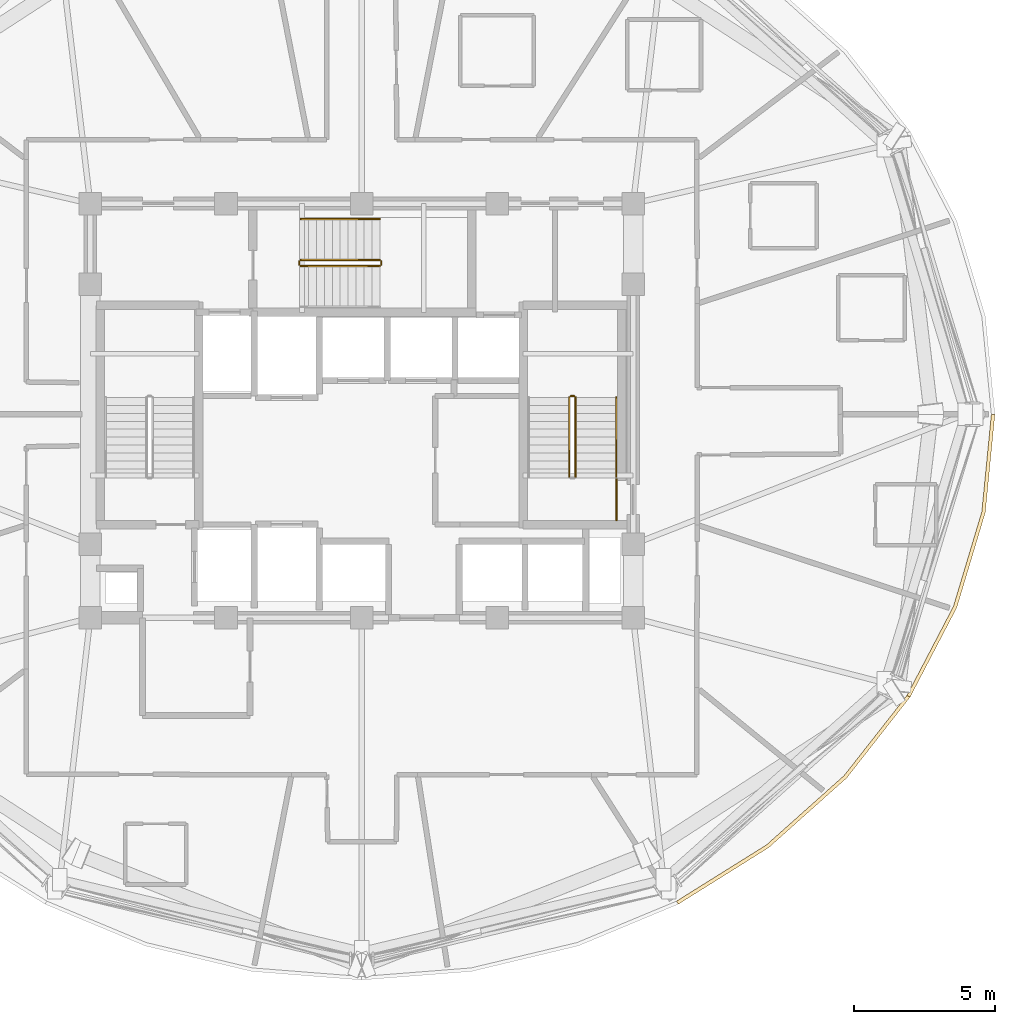
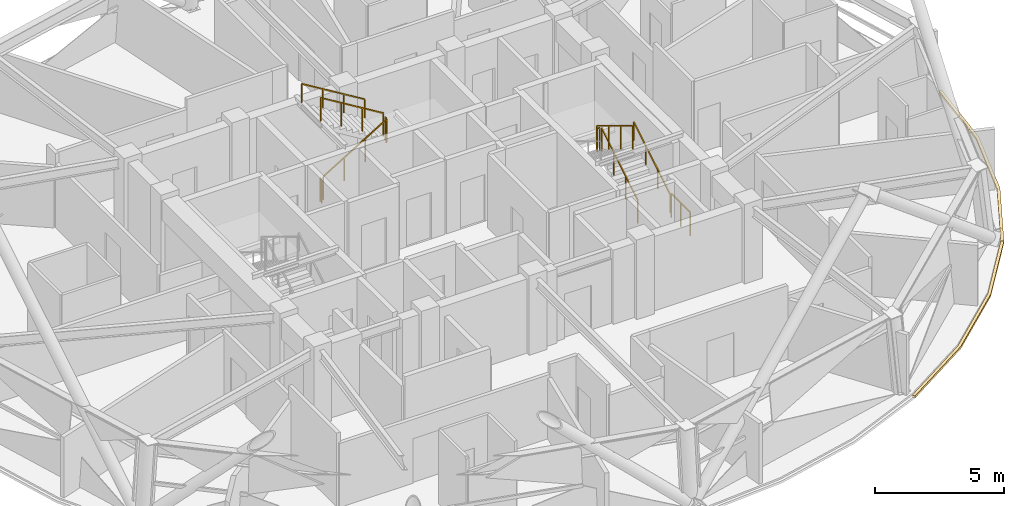
# One storey, part 11 of 12: 10 railings, 2 coverings.
"""IFC4 building model written with IfcOpenShell, lengths in metres."""

from ifc_helpers import new_model, si_unit, direction, frame, origin, origin_2d, place, context, subcontext, project, spatial, polyline, rectangle, outline, extrude, material, layer, layer_set, type_object, element, save


model = new_model("IFC4")

# Units and contexts
model_context = context("Model", 3, precision=1e-05, world=origin(), true_north=direction((0.0, 1.0)))
body_context = subcontext(model_context, "Body", "Model", "MODEL_VIEW")
ifc_project = project(units=[si_unit("LENGTHUNIT", "METRE"), si_unit("AREAUNIT", "SQUARE_METRE"), si_unit("VOLUMEUNIT", "CUBIC_METRE"), si_unit("PLANEANGLEUNIT", "RADIAN"), si_unit("MASSUNIT", "GRAM", prefix="KILO")], contexts=[model_context])

# Site, building, storey
site_placement = place(None, origin())
site = spatial("IfcSite", under=ifc_project, at=site_placement, CompositionType="ELEMENT")
building_placement = place(site_placement, origin())
building = spatial("IfcBuilding", under=site, at=building_placement, Name="Vantalir Tower", CompositionType="ELEMENT")
storey_placement = place(building_placement, frame((0.0, 0.0, 249.89990234375)))
storey = spatial("IfcBuildingStorey", under=building, at=storey_placement, Name="L63", CompositionType="ELEMENT", Elevation=249.89990234375)

# Coverings
ifc_material_1 = material(Name="Anodised champagne aluminium sill fascia", Category="aluminium")
ifc_layer = layer(ifc_material_1, 0.125)
ifc_layer_set = layer_set([ifc_layer], Name="Anodised champagne aluminium sill fascia")
covering_type = type_object("IfcCoveringType", Name="COV-SLAB-FASCIA-125", PredefinedType="CLADDING", material=ifc_layer_set)
covering_1_placement = place(storey_placement, frame((0.0, 0.0, -0.179931640625)))
element("IfcCovering", 1, at=covering_1_placement, inside=storey, type_object=covering_type, Name="L63 Perimeter Slab-Edge Sill Fascia 11", PredefinedType="CLADDING", context=body_context, shape_type="SweptSolid", body=[
    extrude(outline(polyline([(42.697021484375, 7.673095703125), (45.89404296875, 9.673095703125), (48.654052734375, 12.138916015625), (50.89306640625, 14.99609375), (50.784912109375, 15.05810546875), (48.55810546875, 12.218994140625), (45.81396484375, 9.76904296875), (42.634033203125, 7.781005859375), (42.697021484375, 7.673095703125)])), origin(), (0.0, 0.0, 1.0), 0.10498046875),
])
covering_2_placement = place(storey_placement, frame((0.0, 0.0, -0.179931640625)))
element("IfcCovering", 2, at=covering_2_placement, inside=storey, type_object=covering_type, Name="L63 Perimeter Slab-Edge Sill Fascia 12", PredefinedType="CLADDING", context=body_context, shape_type="SweptSolid", body=[
    extrude(outline(polyline([(50.89306640625, 14.99609375), (52.54296875, 18.156982421875), (53.552978515625, 21.52587890625), (53.89306640625, 25.0), (53.76806640625, 25.0), (53.429931640625, 21.547119140625), (52.425048828125, 18.199951171875), (50.784912109375, 15.05810546875), (50.89306640625, 14.99609375)])), origin(), (0.0, 0.0, 1.0), 0.10498046875),
])

# Railings
ifc_material_2 = material(Name="Anodised aluminium and stainless steel guard", Category="steel")
railing_type_1 = type_object("IfcRailingType", Name="RAL-GUARD-1120", PredefinedType="GUARDRAIL", material=ifc_material_2)
railing_1_placement = place(storey_placement, frame((39.06005859375, 22.7900390625, 0.170654296875)))
element("IfcRailing", 3, at=railing_1_placement, inside=storey, type_object=railing_type_1, Name="L63 ST2 stair guard 1", PredefinedType="GUARDRAIL", context=body_context, shape_type="SweptSolid", body=[
    extrude(rectangle(XDim=0.048095703125, YDim=0.048095703125, at=origin_2d()), frame((0.0, 0.0, 1.09619140625), z_axis=(0.0, 0.854202870247, 0.519939858505), x_axis=(-1.0, 0.0, 0.0)), (0.0, 0.0, 1.0), 3.278076171875),
    extrude(rectangle(XDim=0.0419921875, YDim=0.0419921875, at=origin_2d()), origin(), (0.0, 0.0, 1.0), 1.072021484375),
    extrude(rectangle(XDim=0.0419921875, YDim=0.0419921875, at=origin_2d()), frame((0.0, 0.933349609375, 0.568115234375)), (0.0, 0.0, 1.0), 1.072021484375),
    extrude(rectangle(XDim=0.0419921875, YDim=0.0419921875, at=origin_2d()), frame((0.0, 1.86669921875, 1.13623046875)), (0.0, 0.0, 1.0), 1.072021484375),
    extrude(rectangle(XDim=0.0419921875, YDim=0.0419921875, at=origin_2d()), frame((0.0, 2.800048828125, 1.704345703125)), (0.0, 0.0, 1.0), 1.072021484375),
])
railing_2_placement = place(storey_placement, frame((39.010009765625, 25.639892578125, 1.875)))
element("IfcRailing", 4, at=railing_2_placement, inside=storey, type_object=railing_type_1, Name="L63 ST2 stair guard 2", PredefinedType="GUARDRAIL", context=body_context, shape_type="SweptSolid", body=[
    extrude(rectangle(XDim=0.048095703125, YDim=0.048095703125, at=origin_2d()), frame((0.0, 0.0, 1.09619140625), z_axis=(-1.0, 0.0, 0.0), x_axis=(0.0, -1.0, 0.0)), (0.0, 0.0, 1.0), 0.1201171875),
    extrude(rectangle(XDim=0.0419921875, YDim=0.0419921875, at=origin_2d()), origin(), (0.0, 0.0, 1.0), 1.072021484375),
    extrude(rectangle(XDim=0.0419921875, YDim=0.0419921875, at=origin_2d()), frame((-0.1201171875, 0.0, 0.0)), (0.0, 0.0, 1.0), 1.072021484375),
])
railing_3_placement = place(storey_placement, frame((38.840087890625, 25.590087890625, 2.045654296875)))
element("IfcRailing", 5, at=railing_3_placement, inside=storey, type_object=railing_type_1, Name="L63 ST2 stair guard 3", PredefinedType="GUARDRAIL", context=body_context, shape_type="SweptSolid", body=[
    extrude(rectangle(XDim=0.048095703125, YDim=0.048095703125, at=origin_2d()), frame((0.0, 0.0, 1.09619140625), z_axis=(0.0, -0.854202870247, 0.519939858505), x_axis=(1.0, 0.0, 0.0)), (0.0, 0.0, 1.0), 3.278076171875),
    extrude(rectangle(XDim=0.0419921875, YDim=0.0419921875, at=origin_2d()), origin(), (0.0, 0.0, 1.0), 1.072021484375),
    extrude(rectangle(XDim=0.0419921875, YDim=0.0419921875, at=origin_2d()), frame((0.0, -0.933349609375, 0.568115234375)), (0.0, 0.0, 1.0), 1.072021484375),
    extrude(rectangle(XDim=0.0419921875, YDim=0.0419921875, at=origin_2d()), frame((0.0, -1.86669921875, 1.13623046875)), (0.0, 0.0, 1.0), 1.072021484375),
    extrude(rectangle(XDim=0.0419921875, YDim=0.0419921875, at=origin_2d()), frame((0.0, -2.800048828125, 1.704345703125)), (0.0, 0.0, 1.0), 1.072021484375),
])
railing_4_placement = place(storey_placement, frame((29.340087890625, 30.239990234375, 0.170654296875)))
element("IfcRailing", 6, at=railing_4_placement, inside=storey, type_object=railing_type_1, Name="L63 ST3 stair guard 1", PredefinedType="GUARDRAIL", context=body_context, shape_type="SweptSolid", body=[
    extrude(rectangle(XDim=0.048095703125, YDim=0.048095703125, at=origin_2d()), frame((0.0, 0.0, 1.09619140625), z_axis=(0.854182733786, 0.0, 0.519972939009), x_axis=(0.0, 1.0, 0.0)), (0.0, 0.0, 1.0), 3.27783203125),
    extrude(rectangle(XDim=0.0419921875, YDim=0.0419921875, at=origin_2d()), origin(), (0.0, 0.0, 1.0), 1.072021484375),
    extrude(rectangle(XDim=0.0419921875, YDim=0.0419921875, at=origin_2d()), frame((0.933349609375, 0.0, 0.568115234375)), (0.0, 0.0, 1.0), 1.072021484375),
    extrude(rectangle(XDim=0.0419921875, YDim=0.0419921875, at=origin_2d()), frame((1.866455078125, 0.0, 1.13623046875)), (0.0, 0.0, 1.0), 1.072021484375),
    extrude(rectangle(XDim=0.0419921875, YDim=0.0419921875, at=origin_2d()), frame((2.7998046875, 0.0, 1.704345703125)), (0.0, 0.0, 1.0), 1.072021484375),
])
railing_5_placement = place(storey_placement, frame((32.18994140625, 30.2900390625, 1.875)))
element("IfcRailing", 7, at=railing_5_placement, inside=storey, type_object=railing_type_1, Name="L63 ST3 stair guard 2", PredefinedType="GUARDRAIL", context=body_context, shape_type="SweptSolid", body=[
    extrude(rectangle(XDim=0.048095703125, YDim=0.048095703125, at=origin_2d()), frame((0.0, 0.0, 1.09619140625), z_axis=(0.0, 1.0, 0.0), x_axis=(-1.0, 0.0, 0.0)), (0.0, 0.0, 1.0), 0.119873046875),
    extrude(rectangle(XDim=0.0419921875, YDim=0.0419921875, at=origin_2d()), origin(), (0.0, 0.0, 1.0), 1.072021484375),
    extrude(rectangle(XDim=0.0419921875, YDim=0.0419921875, at=origin_2d()), frame((0.0, 0.119873046875, 0.0)), (0.0, 0.0, 1.0), 1.072021484375),
])
railing_6_placement = place(storey_placement, frame((32.139892578125, 30.4599609375, 2.045654296875)))
element("IfcRailing", 8, at=railing_6_placement, inside=storey, type_object=railing_type_1, Name="L63 ST3 stair guard 3", PredefinedType="GUARDRAIL", context=body_context, shape_type="SweptSolid", body=[
    extrude(rectangle(XDim=0.048095703125, YDim=0.048095703125, at=origin_2d()), frame((0.0, 0.0, 1.09619140625), z_axis=(-0.854182733786, 0.0, 0.519972939009), x_axis=(0.0, -1.0, 0.0)), (0.0, 0.0, 1.0), 3.27783203125),
    extrude(rectangle(XDim=0.0419921875, YDim=0.0419921875, at=origin_2d()), origin(), (0.0, 0.0, 1.0), 1.072021484375),
    extrude(rectangle(XDim=0.0419921875, YDim=0.0419921875, at=origin_2d()), frame((-0.933349609375, 0.0, 0.568115234375)), (0.0, 0.0, 1.0), 1.072021484375),
    extrude(rectangle(XDim=0.0419921875, YDim=0.0419921875, at=origin_2d()), frame((-1.866455078125, 0.0, 1.13623046875)), (0.0, 0.0, 1.0), 1.072021484375),
    extrude(rectangle(XDim=0.0419921875, YDim=0.0419921875, at=origin_2d()), frame((-2.7998046875, 0.0, 1.704345703125)), (0.0, 0.0, 1.0), 1.072021484375),
])
railing_7_placement = place(storey_placement, frame((29.2900390625, 30.2900390625, 0.0)))
element("IfcRailing", 9, at=railing_7_placement, inside=storey, type_object=railing_type_1, Name="L63 ST3 stair guard 4", PredefinedType="GUARDRAIL", context=body_context, shape_type="SweptSolid", body=[
    extrude(rectangle(XDim=0.048095703125, YDim=0.048095703125, at=origin_2d()), frame((0.0, 0.0, 1.09619140625), z_axis=(0.0, 1.0, 0.0), x_axis=(-1.0, 0.0, 0.0)), (0.0, 0.0, 1.0), 0.119873046875),
    extrude(rectangle(XDim=0.0419921875, YDim=0.0419921875, at=origin_2d()), origin(), (0.0, 0.0, 1.0), 1.072021484375),
    extrude(rectangle(XDim=0.0419921875, YDim=0.0419921875, at=origin_2d()), frame((0.0, 0.119873046875, 0.0)), (0.0, 0.0, 1.0), 1.072021484375),
])
railing_8_placement = place(storey_placement, frame((40.510009765625, 21.260009765625, 0.0)))
element("IfcRailing", 10, at=railing_8_placement, inside=storey, type_object=railing_type_1, Name="L63 Stair ST2 Doorway Landing Guard", PredefinedType="GUARDRAIL", context=body_context, shape_type="SweptSolid", body=[
    extrude(rectangle(XDim=0.048095703125, YDim=0.048095703125, at=origin_2d()), frame((0.0, 0.0, 1.1259765625), z_axis=(0.0, 1.0, 0.0), x_axis=(-1.0, 0.0, 0.0)), (0.0, 0.0, 1.0), 1.43994140625),
    extrude(rectangle(XDim=0.0419921875, YDim=0.0419921875, at=origin_2d()), origin(), (0.0, 0.0, 1.0), 1.101806640625),
    extrude(rectangle(XDim=0.0419921875, YDim=0.0419921875, at=origin_2d()), frame((0.0, 0.719970703125, 0.0)), (0.0, 0.0, 1.0), 1.101806640625),
    extrude(rectangle(XDim=0.0419921875, YDim=0.0419921875, at=origin_2d()), frame((0.0, 1.43994140625, 0.0)), (0.0, 0.0, 1.0), 1.101806640625),
])
ifc_material_3 = material(Name="Brushed stainless steel tubular handrail", Category="steel")
railing_type_2 = type_object("IfcRailingType", Name="RAL-HANDRAIL-900", PredefinedType="HANDRAIL", material=ifc_material_3)
railing_9_placement = place(storey_placement, frame((40.5, 22.7900390625, 0.170654296875)))
element("IfcRailing", 11, at=railing_9_placement, inside=storey, type_object=railing_type_2, Name="L63 ST2 stair handrail 1", PredefinedType="HANDRAIL", context=body_context, shape_type="SweptSolid", body=[
    extrude(rectangle(XDim=0.048095703125, YDim=0.048095703125, at=origin_2d()), frame((0.0, 0.0, 0.8759765625), z_axis=(0.0, 0.854202870247, 0.519939858505), x_axis=(-1.0, 0.0, 0.0)), (0.0, 0.0, 1.0), 3.278076171875),
    extrude(rectangle(XDim=0.0419921875, YDim=0.0419921875, at=origin_2d()), origin(), (0.0, 0.0, 1.0), 0.851806640625),
    extrude(rectangle(XDim=0.0419921875, YDim=0.0419921875, at=origin_2d()), frame((0.0, 0.933349609375, 0.568115234375)), (0.0, 0.0, 1.0), 0.851806640625),
    extrude(rectangle(XDim=0.0419921875, YDim=0.0419921875, at=origin_2d()), frame((0.0, 1.86669921875, 1.13623046875)), (0.0, 0.0, 1.0), 0.851806640625),
    extrude(rectangle(XDim=0.0419921875, YDim=0.0419921875, at=origin_2d()), frame((0.0, 2.800048828125, 1.704345703125)), (0.0, 0.0, 1.0), 0.851806640625),
])
railing_10_placement = place(storey_placement, frame((32.139892578125, 31.89990234375, 2.045654296875)))
element("IfcRailing", 12, at=railing_10_placement, inside=storey, type_object=railing_type_2, Name="L63 ST3 stair handrail 2", PredefinedType="HANDRAIL", context=body_context, shape_type="SweptSolid", body=[
    extrude(rectangle(XDim=0.048095703125, YDim=0.048095703125, at=origin_2d()), frame((0.0, 0.0, 0.8759765625), z_axis=(-0.854182733786, 0.0, 0.519972939009), x_axis=(0.0, -1.0, 0.0)), (0.0, 0.0, 1.0), 3.27783203125),
    extrude(rectangle(XDim=0.0419921875, YDim=0.0419921875, at=origin_2d()), origin(), (0.0, 0.0, 1.0), 0.851806640625),
    extrude(rectangle(XDim=0.0419921875, YDim=0.0419921875, at=origin_2d()), frame((-0.933349609375, 0.0, 0.568115234375)), (0.0, 0.0, 1.0), 0.851806640625),
    extrude(rectangle(XDim=0.0419921875, YDim=0.0419921875, at=origin_2d()), frame((-1.866455078125, 0.0, 1.13623046875)), (0.0, 0.0, 1.0), 0.851806640625),
    extrude(rectangle(XDim=0.0419921875, YDim=0.0419921875, at=origin_2d()), frame((-2.7998046875, 0.0, 1.704345703125)), (0.0, 0.0, 1.0), 0.851806640625),
])

save(model, "model.ifc")
